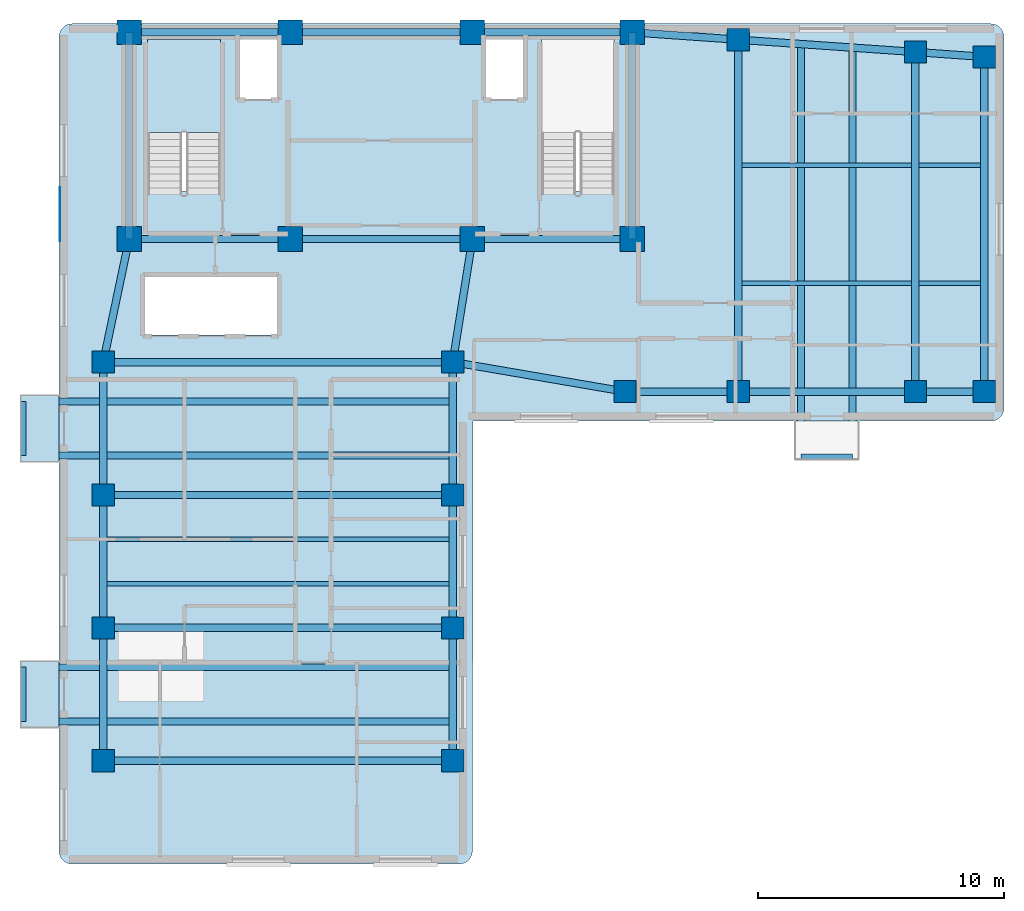
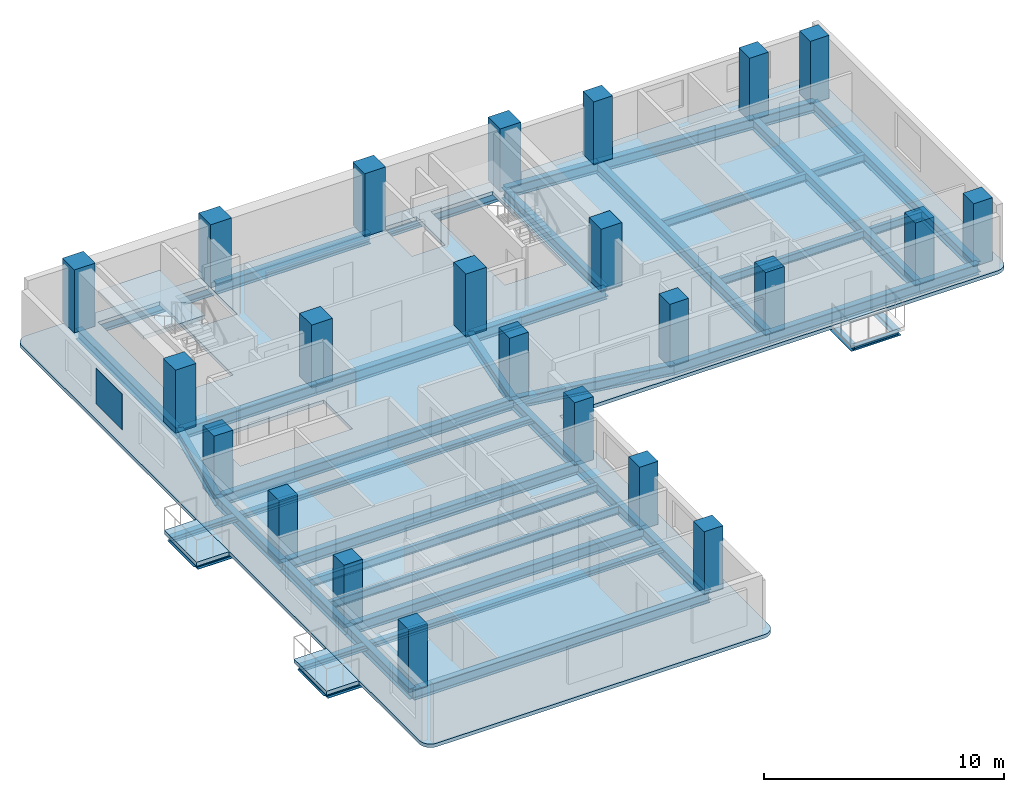
# One storey, part 1 of 7: 45 beams, 23 columns, 4 slabs, 1 plate, 1 element without a shape of its own.
"""IFC4 building model written with IfcOpenShell, lengths in metres."""

from ifc_helpers import new_model, si_unit, direction, frame, origin, origin_2d, place, context, subcontext, project, spatial, polyline, rectangle, i_section, outline, extrude, material, layer, layer_set, material_profile, profile_set, type_object, element, aggregate, save


model = new_model("IFC4")

# Units and contexts
model_context = context("Model", 3, precision=1e-05, world=origin(), true_north=direction((0.0, 1.0)))
body_context = subcontext(model_context, "Body", "Model", "MODEL_VIEW")
ifc_project = project(units=[si_unit("LENGTHUNIT", "METRE"), si_unit("AREAUNIT", "SQUARE_METRE"), si_unit("VOLUMEUNIT", "CUBIC_METRE"), si_unit("PLANEANGLEUNIT", "RADIAN"), si_unit("MASSUNIT", "GRAM", prefix="KILO")], contexts=[model_context])

# Site, building, storey
site_placement = place(None, origin())
site = spatial("IfcSite", under=ifc_project, at=site_placement, CompositionType="ELEMENT")
building_placement = place(site_placement, origin())
building = spatial("IfcBuilding", under=site, at=building_placement, Name="Kuzgunbayir Cultural Tower", CompositionType="ELEMENT")
storey_placement = place(building_placement, frame((0.0, 0.0, 176.0)))
storey = spatial("IfcBuildingStorey", under=building, at=storey_placement, Name="L51", CompositionType="ELEMENT", Elevation=176.0)

# Columns
ifc_material_1 = material(Name="Concrete C50/60", Category="concrete")
ifc_material_profile_1 = material_profile(ifc_material_1, rectangle(XDim=1.0, YDim=1.0, at=origin_2d()), Name="RC 1000x1000")
ifc_profile_set_1 = profile_set([ifc_material_profile_1], Name="Concrete C50/60")
column_type_1 = type_object("IfcColumnType", Name="COL-CORE-1000", PredefinedType="COLUMN", material=ifc_profile_set_1)
for number, where, z_axis, x_axis, name in (
    (1, (6.449951171875, 33.800048828125, 0.0), (0.0, 0.0, 1.0), (1.0, 0.0, 0.0), "L51 T1 Core Boundary Column CC1-1"),
    (2, (13.0, 33.800048828125, 0.0), (0.0, 0.0, 1.0), (1.0, 0.0, 0.0), "L51 T1 Core Boundary Column CC1-2"),
    (3, (20.39990234375, 33.800048828125, 0.0), (0.0, 0.0, 1.0), (1.0, 0.0, 0.0), "L51 T1 Core Boundary Column CC1-3"),
    (4, (26.89990234375, 33.800048828125, 0.0), (0.0, 0.0, 1.0), (1.0, 0.0, 0.0), "L51 T1 Core Boundary Column CC1-4"),
    (5, (6.449951171875, 42.199951171875, 0.0), (0.0, 0.0, 1.0), (1.0, 0.0, 0.0), "L51 T1 Core Boundary Column CC1-5"),
    (6, (13.0, 42.199951171875, 0.0), (0.0, 0.0, 1.0), (1.0, 0.0, 0.0), "L51 T1 Core Boundary Column CC1-6"),
    (7, (20.39990234375, 42.199951171875, 0.0), (0.0, 0.0, 1.0), (1.0, 0.0, 0.0), "L51 T1 Core Boundary Column CC1-7"),
    (8, (26.89990234375, 42.199951171875, 0.0), (0.0, 0.0, 1.0), (1.0, 0.0, 0.0), "L51 T1 Core Boundary Column CC1-8"),
):
    element("IfcColumn", number, at=place(storey_placement, frame(where, z_axis=z_axis, x_axis=x_axis)), inside=storey, type_object=column_type_1, Name=name, PredefinedType="COLUMN", context=body_context, shape_type="SweptSolid", body=[
        extrude(rectangle(XDim=1.0, YDim=1.0, at=origin_2d()), origin(), (0.0, 0.0, 1.0), 3.199951171875),
    ])
ifc_material_profile_2 = material_profile(ifc_material_1, rectangle(XDim=0.89990234375, YDim=0.89990234375, at=origin_2d()), Name="RC 900x900")
ifc_profile_set_2 = profile_set([ifc_material_profile_2], Name="Concrete C50/60")
column_type_2 = type_object("IfcColumnType", Name="COL-T1-900", PredefinedType="COLUMN", material=ifc_profile_set_2)
for number, where, z_axis, x_axis, name in (
    (9, (5.39990234375, 12.60009765625, 0.0), (0.0, 0.0, 1.0), (1.0, 0.0, 0.0), "L51 Tower 1 Wing A Column T1A-W-1"),
    (10, (19.60009765625, 12.60009765625, 0.0), (0.0, 0.0, 1.0), (1.0, 0.0, 0.0), "L51 Tower 1 Wing A Column T1A-E-1"),
    (11, (5.39990234375, 18.0, 0.0), (0.0, 0.0, 1.0), (1.0, 0.0, 0.0), "L51 Tower 1 Wing A Column T1A-W-2"),
    (12, (19.60009765625, 18.0, 0.0), (0.0, 0.0, 1.0), (1.0, 0.0, 0.0), "L51 Tower 1 Wing A Column T1A-E-2"),
    (13, (5.39990234375, 23.39990234375, 0.0), (0.0, 0.0, 1.0), (1.0, 0.0, 0.0), "L51 Tower 1 Wing A Column T1A-W-3"),
    (14, (19.60009765625, 23.39990234375, 0.0), (0.0, 0.0, 1.0), (1.0, 0.0, 0.0), "L51 Tower 1 Wing A Column T1A-E-3"),
    (15, (5.39990234375, 28.800048828125, 0.0), (0.0, 0.0, 1.0), (1.0, 0.0, 0.0), "L51 Tower 1 Wing A Column T1A-W-4"),
    (16, (19.60009765625, 28.800048828125, 0.0), (0.0, 0.0, 1.0), (1.0, 0.0, 0.0), "L51 Tower 1 Wing A Column T1A-E-4"),
    (17, (26.60009765625, 27.60009765625, 0.0), (0.0, 0.0, 1.0), (1.0, 0.0, 0.0), "L51 Tower 1 Wing B Column T1B-1-1"),
    (18, (31.199951171875, 27.60009765625, 0.0), (0.0, 0.0, 1.0), (1.0, 0.0, 0.0), "L51 Tower 1 Wing B Column T1B-2-1"),
    (19, (31.199951171875, 41.89990234375, 0.0), (0.0, 0.0, 1.0), (1.0, 0.0, 0.0), "L51 Tower 1 Wing B Column T1B-2-2"),
    (20, (38.39990234375, 27.60009765625, 0.0), (0.0, 0.0, 1.0), (1.0, 0.0, 0.0), "L51 Tower 1 Wing B Column T1B-3-1"),
    (21, (38.39990234375, 41.39990234375, 0.0), (0.0, 0.0, 1.0), (1.0, 0.0, 0.0), "L51 Tower 1 Wing B Column T1B-3-2"),
    (22, (41.199951171875, 27.60009765625, 0.0), (0.0, 0.0, 1.0), (1.0, 0.0, 0.0), "L51 Tower 1 Wing B Column T1B-4-1"),
    (23, (41.199951171875, 41.199951171875, 0.0), (0.0, 0.0, 1.0), (1.0, 0.0, 0.0), "L51 Tower 1 Wing B Column T1B-4-2"),
):
    element("IfcColumn", number, at=place(storey_placement, frame(where, z_axis=z_axis, x_axis=x_axis)), inside=storey, type_object=column_type_2, Name=name, PredefinedType="COLUMN", context=body_context, shape_type="SweptSolid", body=[
        extrude(rectangle(XDim=0.89990234375, YDim=0.89990234375, at=origin_2d()), origin(), (0.0, 0.0, 1.0), 3.199951171875),
    ])

# Beams
ifc_material_2 = material(Name="Steel S355J2", Category="steel")
ifc_material_profile_3 = material_profile(ifc_material_2, i_section(OverallWidth=0.280029296875, OverallDepth=0.280029296875, WebThickness=0.010498046875, FlangeThickness=0.01806640625, FilletRadius=0.02392578125, at=origin_2d()), Name="HEB 280")
ifc_profile_set_3 = profile_set([ifc_material_profile_3], Name="Steel S355J2")
beam_type_1 = type_object("IfcBeamType", Name="BM-BAL-HEB280", PredefinedType="BEAM", material=ifc_profile_set_3)
for number, where, z_axis, x_axis, name in (
    (24, (2.159912109375, 14.199951171875, -0.340087890625), (1.0, 0.0, 0.0), (0.0, 1.0, 0.0), "L51 Balcony Outrigger Beam BAL-L51-WA1.1"),
    (25, (2.159912109375, 16.39990234375, -0.340087890625), (1.0, 0.0, 0.0), (0.0, 1.0, 0.0), "L51 Balcony Outrigger Beam BAL-L51-WA1.2"),
    (26, (2.159912109375, 25.0, -0.340087890625), (1.0, 0.0, 0.0), (0.0, 1.0, 0.0), "L51 Balcony Outrigger Beam BAL-L51-WA3.1"),
    (27, (2.159912109375, 27.199951171875, -0.340087890625), (1.0, 0.0, 0.0), (0.0, 1.0, 0.0), "L51 Balcony Outrigger Beam BAL-L51-WA3.2"),
):
    element("IfcBeam", number, at=place(storey_placement, frame(where, z_axis=z_axis, x_axis=x_axis)), inside=storey, type_object=beam_type_1, Name=name, PredefinedType="BEAM", context=body_context, shape_type="SweptSolid", body=[
        extrude(i_section(OverallWidth=0.280029296875, OverallDepth=0.280029296875, WebThickness=0.010498046875, FlangeThickness=0.01806640625, FilletRadius=0.02392578125, at=origin_2d()), origin(), (0.0, 0.0, 1.0), 17.440185546875),
    ])
beam_1_placement = place(storey_placement, frame((33.75, 24.9599609375, -0.340087890625), z_axis=(0.0, 1.0, 0.0), x_axis=(-1.0, 0.0, 0.0)))
element("IfcBeam", 28, at=beam_1_placement, inside=storey, type_object=beam_type_1, Name="L51 Balcony Outrigger Beam BAL-L51-WB2.1", PredefinedType="BEAM", context=body_context, shape_type="SweptSolid", body=[
    extrude(i_section(OverallWidth=0.280029296875, OverallDepth=0.280029296875, WebThickness=0.010498046875, FlangeThickness=0.01806640625, FilletRadius=0.02392578125, at=origin_2d()), origin(), (0.0, 0.0, 1.0), 16.760009765625),
])
beam_2_placement = place(storey_placement, frame((35.85009765625, 24.9599609375, -0.340087890625), z_axis=(0.0, 1.0, 0.0), x_axis=(-1.0, 0.0, 0.0)))
element("IfcBeam", 29, at=beam_2_placement, inside=storey, type_object=beam_type_1, Name="L51 Balcony Outrigger Beam BAL-L51-WB2.2", PredefinedType="BEAM", context=body_context, shape_type="SweptSolid", body=[
    extrude(i_section(OverallWidth=0.280029296875, OverallDepth=0.280029296875, WebThickness=0.010498046875, FlangeThickness=0.01806640625, FilletRadius=0.02392578125, at=origin_2d()), origin(), (0.0, 0.0, 1.0), 16.6201171875),
])
ifc_material_profile_4 = material_profile(ifc_material_2, i_section(OverallWidth=0.199951171875, OverallDepth=0.199951171875, WebThickness=0.009033203125, FlangeThickness=0.014892578125, FilletRadius=0.01806640625, at=origin_2d()), Name="HEB 200")
ifc_profile_set_4 = profile_set([ifc_material_profile_4], Name="Steel S355J2")
beam_type_2 = type_object("IfcBeamType", Name="BM-CAN-HEB200", PredefinedType="BEAM", material=ifc_profile_set_4)
for number, where, z_axis, x_axis, name in (
    (30, (2.159912109375, 14.199951171875, -0.300048828125), (0.0, 1.0, 0.0), (-1.0, 0.0, 0.0), "L51 Balcony Edge Header BAL-L51-WA1"),
    (31, (2.159912109375, 25.0, -0.300048828125), (0.0, 1.0, 0.0), (-1.0, 0.0, 0.0), "L51 Balcony Edge Header BAL-L51-WA3"),
):
    element("IfcBeam", number, at=place(storey_placement, frame(where, z_axis=z_axis, x_axis=x_axis)), inside=storey, type_object=beam_type_2, Name=name, PredefinedType="BEAM", context=body_context, shape_type="SweptSolid", body=[
        extrude(i_section(OverallWidth=0.199951171875, OverallDepth=0.199951171875, WebThickness=0.009033203125, FlangeThickness=0.014892578125, FilletRadius=0.01806640625, at=origin_2d()), origin(), (0.0, 0.0, 1.0), 2.199951171875),
    ])
beam_3_placement = place(storey_placement, frame((33.75, 24.9599609375, -0.300048828125), z_axis=(1.0, 0.0, 0.0), x_axis=(0.0, 1.0, 0.0)))
element("IfcBeam", 32, at=beam_3_placement, inside=storey, type_object=beam_type_2, Name="L51 Balcony Edge Header BAL-L51-WB2", PredefinedType="BEAM", context=body_context, shape_type="SweptSolid", body=[
    extrude(i_section(OverallWidth=0.199951171875, OverallDepth=0.199951171875, WebThickness=0.009033203125, FlangeThickness=0.014892578125, FilletRadius=0.01806640625, at=origin_2d()), origin(), (0.0, 0.0, 1.0), 2.10009765625),
])
ifc_material_profile_5 = material_profile(ifc_material_2, i_section(OverallWidth=0.300048828125, OverallDepth=0.550048828125, WebThickness=0.014892578125, FlangeThickness=0.029052734375, FilletRadius=0.027099609375, at=origin_2d()), Name="HEB 550")
ifc_profile_set_5 = profile_set([ifc_material_profile_5], Name="Steel S355J2")
beam_type_3 = type_object("IfcBeamType", Name="BM-EXT-HEB550", PredefinedType="BEAM", material=ifc_profile_set_5)
for number, where, z_axis, x_axis, name in (
    (33, (5.39990234375, 12.60009765625, -0.4599609375), (0.0, 1.0, 0.0), (-1.0, 0.0, 0.0), "L51 Wing A West Girder 1"),
    (34, (19.60009765625, 12.60009765625, -0.4599609375), (0.0, 1.0, 0.0), (-1.0, 0.0, 0.0), "L51 Wing A East Girder 1"),
    (35, (5.39990234375, 18.0, -0.4599609375), (0.0, 1.0, 0.0), (-1.0, 0.0, 0.0), "L51 Wing A West Girder 2"),
    (36, (19.60009765625, 18.0, -0.4599609375), (0.0, 1.0, 0.0), (-1.0, 0.0, 0.0), "L51 Wing A East Girder 2"),
):
    element("IfcBeam", number, at=place(storey_placement, frame(where, z_axis=z_axis, x_axis=x_axis)), inside=storey, type_object=beam_type_3, Name=name, PredefinedType="BEAM", context=body_context, shape_type="SweptSolid", body=[
        extrude(i_section(OverallWidth=0.300048828125, OverallDepth=0.550048828125, WebThickness=0.014892578125, FlangeThickness=0.029052734375, FilletRadius=0.027099609375, at=origin_2d()), origin(), (0.0, 0.0, 1.0), 5.39990234375),
    ])
for number, where, z_axis, x_axis, name in (
    (37, (5.39990234375, 23.39990234375, -0.4599609375), (0.0, 1.0, 0.0), (-1.0, 0.0, 0.0), "L51 Wing A West Girder 3"),
    (38, (19.60009765625, 23.39990234375, -0.4599609375), (0.0, 1.0, 0.0), (-1.0, 0.0, 0.0), "L51 Wing A East Girder 3"),
):
    element("IfcBeam", number, at=place(storey_placement, frame(where, z_axis=z_axis, x_axis=x_axis)), inside=storey, type_object=beam_type_3, Name=name, PredefinedType="BEAM", context=body_context, shape_type="SweptSolid", body=[
        extrude(i_section(OverallWidth=0.300048828125, OverallDepth=0.550048828125, WebThickness=0.014892578125, FlangeThickness=0.029052734375, FilletRadius=0.027099609375, at=origin_2d()), origin(), (0.0, 0.0, 1.0), 5.400146484375),
    ])
beam_4_placement = place(storey_placement, frame((26.60009765625, 27.60009765625, -0.4599609375), z_axis=(1.0, 0.0, 0.0), x_axis=(0.0, 1.0, 0.0)))
element("IfcBeam", 39, at=beam_4_placement, inside=storey, type_object=beam_type_3, Name="L51 Wing B South Girder 1", PredefinedType="BEAM", context=body_context, shape_type="SweptSolid", body=[
    extrude(i_section(OverallWidth=0.300048828125, OverallDepth=0.550048828125, WebThickness=0.014892578125, FlangeThickness=0.029052734375, FilletRadius=0.027099609375, at=origin_2d()), origin(), (0.0, 0.0, 1.0), 4.599853515625),
])
beam_5_placement = place(storey_placement, frame((26.89990234375, 42.199951171875, -0.4599609375), z_axis=(0.997574369175, -0.069608749203, 0.0), x_axis=(0.069608749203, 0.997574369175, 0.0)))
element("IfcBeam", 40, at=beam_5_placement, inside=storey, type_object=beam_type_3, Name="L51 Wing B North Girder 1", PredefinedType="BEAM", context=body_context, shape_type="SweptSolid", body=[
    extrude(i_section(OverallWidth=0.300048828125, OverallDepth=0.550048828125, WebThickness=0.014892578125, FlangeThickness=0.029052734375, FilletRadius=0.027099609375, at=origin_2d()), origin(), (0.0, 0.0, 1.0), 4.310546875),
])
beam_6_placement = place(storey_placement, frame((31.199951171875, 27.60009765625, -0.4599609375), z_axis=(1.0, 0.0, 0.0), x_axis=(0.0, 1.0, 0.0)))
element("IfcBeam", 41, at=beam_6_placement, inside=storey, type_object=beam_type_3, Name="L51 Wing B South Girder 2", PredefinedType="BEAM", context=body_context, shape_type="SweptSolid", body=[
    extrude(i_section(OverallWidth=0.300048828125, OverallDepth=0.550048828125, WebThickness=0.014892578125, FlangeThickness=0.029052734375, FilletRadius=0.027099609375, at=origin_2d()), origin(), (0.0, 0.0, 1.0), 7.199951171875),
])
beam_7_placement = place(storey_placement, frame((31.199951171875, 41.89990234375, -0.4599609375), z_axis=(0.997597388498, -0.069278066245, 0.0), x_axis=(0.069278066245, 0.997597388498, 0.0)))
element("IfcBeam", 42, at=beam_7_placement, inside=storey, type_object=beam_type_3, Name="L51 Wing B North Girder 2", PredefinedType="BEAM", context=body_context, shape_type="SweptSolid", body=[
    extrude(i_section(OverallWidth=0.300048828125, OverallDepth=0.550048828125, WebThickness=0.014892578125, FlangeThickness=0.029052734375, FilletRadius=0.027099609375, at=origin_2d()), origin(), (0.0, 0.0, 1.0), 7.21728515625),
])
beam_8_placement = place(storey_placement, frame((38.39990234375, 27.60009765625, -0.4599609375), z_axis=(1.0, 0.0, 0.0), x_axis=(0.0, 1.0, 0.0)))
element("IfcBeam", 43, at=beam_8_placement, inside=storey, type_object=beam_type_3, Name="L51 Wing B South Girder 3", PredefinedType="BEAM", context=body_context, shape_type="SweptSolid", body=[
    extrude(i_section(OverallWidth=0.300048828125, OverallDepth=0.550048828125, WebThickness=0.014892578125, FlangeThickness=0.029052734375, FilletRadius=0.027099609375, at=origin_2d()), origin(), (0.0, 0.0, 1.0), 2.800048828125),
])
beam_9_placement = place(storey_placement, frame((38.39990234375, 41.39990234375, -0.4599609375), z_axis=(0.997460024076, -0.071228508128, 0.0), x_axis=(0.071228508128, 0.997460024076, 0.0)))
element("IfcBeam", 44, at=beam_9_placement, inside=storey, type_object=beam_type_3, Name="L51 Wing B North Girder 3", PredefinedType="BEAM", context=body_context, shape_type="SweptSolid", body=[
    extrude(i_section(OverallWidth=0.300048828125, OverallDepth=0.550048828125, WebThickness=0.014892578125, FlangeThickness=0.029052734375, FilletRadius=0.027099609375, at=origin_2d()), origin(), (0.0, 0.0, 1.0), 2.80712890625),
])
ifc_material_profile_6 = material_profile(ifc_material_2, i_section(OverallWidth=0.300048828125, OverallDepth=0.550048828125, WebThickness=0.014892578125, FlangeThickness=0.029052734375, FilletRadius=0.027099609375, at=origin_2d()), Name="HEB 550")
ifc_profile_set_6 = profile_set([ifc_material_profile_6], Name="Steel S355J2")
beam_type_4 = type_object("IfcBeamType", Name="BM-GIR-HEB550", PredefinedType="BEAM", material=ifc_profile_set_6)
beam_10_placement = place(storey_placement, frame((6.449951171875, 33.800048828125, -0.4599609375), z_axis=(1.0, 0.0, 0.0), x_axis=(0.0, 1.0, 0.0)))
element("IfcBeam", 45, at=beam_10_placement, inside=storey, type_object=beam_type_4, Name="L51 Core South Girder 1", PredefinedType="BEAM", context=body_context, shape_type="SweptSolid", body=[
    extrude(i_section(OverallWidth=0.300048828125, OverallDepth=0.550048828125, WebThickness=0.014892578125, FlangeThickness=0.029052734375, FilletRadius=0.027099609375, at=origin_2d()), origin(), (0.0, 0.0, 1.0), 6.550048828125),
])
beam_11_placement = place(storey_placement, frame((13.0, 33.800048828125, -0.4599609375), z_axis=(1.0, 0.0, 0.0), x_axis=(0.0, 1.0, 0.0)))
element("IfcBeam", 46, at=beam_11_placement, inside=storey, type_object=beam_type_4, Name="L51 Core South Girder 2", PredefinedType="BEAM", context=body_context, shape_type="SweptSolid", body=[
    extrude(i_section(OverallWidth=0.300048828125, OverallDepth=0.550048828125, WebThickness=0.014892578125, FlangeThickness=0.029052734375, FilletRadius=0.027099609375, at=origin_2d()), origin(), (0.0, 0.0, 1.0), 7.39990234375),
])
beam_12_placement = place(storey_placement, frame((20.39990234375, 33.800048828125, -0.4599609375), z_axis=(1.0, 0.0, 0.0), x_axis=(0.0, 1.0, 0.0)))
element("IfcBeam", 47, at=beam_12_placement, inside=storey, type_object=beam_type_4, Name="L51 Core South Girder 3", PredefinedType="BEAM", context=body_context, shape_type="SweptSolid", body=[
    extrude(i_section(OverallWidth=0.300048828125, OverallDepth=0.550048828125, WebThickness=0.014892578125, FlangeThickness=0.029052734375, FilletRadius=0.027099609375, at=origin_2d()), origin(), (0.0, 0.0, 1.0), 6.5),
])
beam_13_placement = place(storey_placement, frame((6.449951171875, 42.199951171875, -0.4599609375), z_axis=(1.0, 0.0, 0.0), x_axis=(0.0, 1.0, 0.0)))
element("IfcBeam", 48, at=beam_13_placement, inside=storey, type_object=beam_type_4, Name="L51 Core North Girder 1", PredefinedType="BEAM", context=body_context, shape_type="SweptSolid", body=[
    extrude(i_section(OverallWidth=0.300048828125, OverallDepth=0.550048828125, WebThickness=0.014892578125, FlangeThickness=0.029052734375, FilletRadius=0.027099609375, at=origin_2d()), origin(), (0.0, 0.0, 1.0), 6.550048828125),
])
beam_14_placement = place(storey_placement, frame((13.0, 42.199951171875, -0.4599609375), z_axis=(1.0, 0.0, 0.0), x_axis=(0.0, 1.0, 0.0)))
element("IfcBeam", 49, at=beam_14_placement, inside=storey, type_object=beam_type_4, Name="L51 Core North Girder 2", PredefinedType="BEAM", context=body_context, shape_type="SweptSolid", body=[
    extrude(i_section(OverallWidth=0.300048828125, OverallDepth=0.550048828125, WebThickness=0.014892578125, FlangeThickness=0.029052734375, FilletRadius=0.027099609375, at=origin_2d()), origin(), (0.0, 0.0, 1.0), 7.39990234375),
])
beam_15_placement = place(storey_placement, frame((20.39990234375, 42.199951171875, -0.4599609375), z_axis=(1.0, 0.0, 0.0), x_axis=(0.0, 1.0, 0.0)))
element("IfcBeam", 50, at=beam_15_placement, inside=storey, type_object=beam_type_4, Name="L51 Core North Girder 3", PredefinedType="BEAM", context=body_context, shape_type="SweptSolid", body=[
    extrude(i_section(OverallWidth=0.300048828125, OverallDepth=0.550048828125, WebThickness=0.014892578125, FlangeThickness=0.029052734375, FilletRadius=0.027099609375, at=origin_2d()), origin(), (0.0, 0.0, 1.0), 6.5),
])
for number, where, z_axis, x_axis, name in (
    (51, (6.449951171875, 33.800048828125, -0.4599609375), (0.0, 1.0, 0.0), (-1.0, 0.0, 0.0), "L51 Core West Edge Girder"),
    (52, (26.89990234375, 33.800048828125, -0.4599609375), (0.0, 1.0, 0.0), (-1.0, 0.0, 0.0), "L51 Core East Edge Girder"),
):
    element("IfcBeam", number, at=place(storey_placement, frame(where, z_axis=z_axis, x_axis=x_axis)), inside=storey, type_object=beam_type_4, Name=name, PredefinedType="BEAM", context=body_context, shape_type="SweptSolid", body=[
        extrude(i_section(OverallWidth=0.300048828125, OverallDepth=0.550048828125, WebThickness=0.014892578125, FlangeThickness=0.029052734375, FilletRadius=0.027099609375, at=origin_2d()), origin(), (0.0, 0.0, 1.0), 8.39990234375),
    ])
for number, where, z_axis, x_axis, name in (
    (53, (5.39990234375, 12.60009765625, -0.4599609375), (1.0, 0.0, 0.0), (0.0, 1.0, 0.0), "L51 Wing A Transverse Girder 1"),
    (54, (5.39990234375, 18.0, -0.4599609375), (1.0, 0.0, 0.0), (0.0, 1.0, 0.0), "L51 Wing A Transverse Girder 2"),
    (55, (5.39990234375, 23.39990234375, -0.4599609375), (1.0, 0.0, 0.0), (0.0, 1.0, 0.0), "L51 Wing A Transverse Girder 3"),
    (56, (5.39990234375, 28.800048828125, -0.4599609375), (1.0, 0.0, 0.0), (0.0, 1.0, 0.0), "L51 Wing A Transverse Girder 4"),
):
    element("IfcBeam", number, at=place(storey_placement, frame(where, z_axis=z_axis, x_axis=x_axis)), inside=storey, type_object=beam_type_4, Name=name, PredefinedType="BEAM", context=body_context, shape_type="SweptSolid", body=[
        extrude(i_section(OverallWidth=0.300048828125, OverallDepth=0.550048828125, WebThickness=0.014892578125, FlangeThickness=0.029052734375, FilletRadius=0.027099609375, at=origin_2d()), origin(), (0.0, 0.0, 1.0), 14.2001953125),
    ])
beam_16_placement = place(storey_placement, frame((5.39990234375, 28.800048828125, -0.4599609375), z_axis=(0.205526387753, 0.978651574329, 0.0), x_axis=(-0.978651574329, 0.205526387753, 0.0)))
element("IfcBeam", 57, at=beam_16_placement, inside=storey, type_object=beam_type_4, Name="L51 Wing A West Core Floor Girder", PredefinedType="BEAM", context=body_context, shape_type="SweptSolid", body=[
    extrude(i_section(OverallWidth=0.300048828125, OverallDepth=0.550048828125, WebThickness=0.014892578125, FlangeThickness=0.029052734375, FilletRadius=0.027099609375, at=origin_2d()), origin(), (0.0, 0.0, 1.0), 5.109130859375),
])
beam_17_placement = place(storey_placement, frame((19.60009765625, 28.800048828125, -0.4599609375), z_axis=(0.157952891656, 0.987446648694, 0.0), x_axis=(-0.987446648694, 0.157952891656, 0.0)))
element("IfcBeam", 58, at=beam_17_placement, inside=storey, type_object=beam_type_4, Name="L51 Wing A East Core Floor Girder", PredefinedType="BEAM", context=body_context, shape_type="SweptSolid", body=[
    extrude(i_section(OverallWidth=0.300048828125, OverallDepth=0.550048828125, WebThickness=0.014892578125, FlangeThickness=0.029052734375, FilletRadius=0.027099609375, at=origin_2d()), origin(), (0.0, 0.0, 1.0), 5.0634765625),
])
beam_18_placement = place(storey_placement, frame((31.199951171875, 27.60009765625, -0.4599609375), z_axis=(0.0, 1.0, 0.0), x_axis=(-1.0, 0.0, 0.0)))
element("IfcBeam", 59, at=beam_18_placement, inside=storey, type_object=beam_type_4, Name="L51 Wing B Cross Girder 31", PredefinedType="BEAM", context=body_context, shape_type="SweptSolid", body=[
    extrude(i_section(OverallWidth=0.300048828125, OverallDepth=0.550048828125, WebThickness=0.014892578125, FlangeThickness=0.029052734375, FilletRadius=0.027099609375, at=origin_2d()), origin(), (0.0, 0.0, 1.0), 14.2998046875),
])
beam_19_placement = place(storey_placement, frame((38.39990234375, 27.60009765625, -0.4599609375), z_axis=(0.0, 1.0, 0.0), x_axis=(-1.0, 0.0, 0.0)))
element("IfcBeam", 60, at=beam_19_placement, inside=storey, type_object=beam_type_4, Name="L51 Wing B Cross Girder 38", PredefinedType="BEAM", context=body_context, shape_type="SweptSolid", body=[
    extrude(i_section(OverallWidth=0.300048828125, OverallDepth=0.550048828125, WebThickness=0.014892578125, FlangeThickness=0.029052734375, FilletRadius=0.027099609375, at=origin_2d()), origin(), (0.0, 0.0, 1.0), 13.7998046875),
])
beam_20_placement = place(storey_placement, frame((41.199951171875, 27.60009765625, -0.4599609375), z_axis=(0.0, 1.0, 0.0), x_axis=(-1.0, 0.0, 0.0)))
element("IfcBeam", 61, at=beam_20_placement, inside=storey, type_object=beam_type_4, Name="L51 Wing B Cross Girder 41", PredefinedType="BEAM", context=body_context, shape_type="SweptSolid", body=[
    extrude(i_section(OverallWidth=0.300048828125, OverallDepth=0.550048828125, WebThickness=0.014892578125, FlangeThickness=0.029052734375, FilletRadius=0.027099609375, at=origin_2d()), origin(), (0.0, 0.0, 1.0), 13.599853515625),
])
beam_21_placement = place(storey_placement, frame((19.60009765625, 28.800048828125, -0.4599609375), z_axis=(0.985623399742, -0.168957136221, 0.0), x_axis=(0.168957136221, 0.985623399742, 0.0)))
element("IfcBeam", 62, at=beam_21_placement, inside=storey, type_object=beam_type_4, Name="L51 Wing B Waist Tie Girder", PredefinedType="BEAM", context=body_context, shape_type="SweptSolid", body=[
    extrude(i_section(OverallWidth=0.300048828125, OverallDepth=0.550048828125, WebThickness=0.014892578125, FlangeThickness=0.029052734375, FilletRadius=0.027099609375, at=origin_2d()), origin(), (0.0, 0.0, 1.0), 7.10205078125),
])
ifc_material_profile_7 = material_profile(ifc_material_2, i_section(OverallWidth=0.179931640625, OverallDepth=0.39990234375, WebThickness=0.008544921875, FlangeThickness=0.013427734375, FilletRadius=0.02099609375, at=origin_2d()), Name="IPE 400")
ifc_profile_set_7 = profile_set([ifc_material_profile_7], Name="Steel S355J2")
beam_type_5 = type_object("IfcBeamType", Name="BM-JST-IPE400", PredefinedType="JOIST", material=ifc_profile_set_7)
for number, where, z_axis, x_axis, name in (
    (63, (5.550048828125, 19.800048828125, -0.3798828125), (1.0, 0.0, 0.0), (0.0, 1.0, 0.0), "L51 Wing A Secondary Joist 3"),
    (64, (5.550048828125, 21.60009765625, -0.3798828125), (1.0, 0.0, 0.0), (0.0, 1.0, 0.0), "L51 Wing A Secondary Joist 4"),
):
    element("IfcBeam", number, at=place(storey_placement, frame(where, z_axis=z_axis, x_axis=x_axis)), inside=storey, type_object=beam_type_5, Name=name, PredefinedType="JOIST", context=body_context, shape_type="SweptSolid", body=[
        extrude(i_section(OverallWidth=0.179931640625, OverallDepth=0.39990234375, WebThickness=0.008544921875, FlangeThickness=0.013427734375, FilletRadius=0.02099609375, at=origin_2d()), origin(), (0.0, 0.0, 1.0), 13.89990234375),
    ])
for number, where, z_axis, x_axis, name in (
    (65, (31.35009765625, 32.0, -0.3798828125), (1.0, 0.0, 0.0), (0.0, 1.0, 0.0), "L51 Wing B Secondary Joist 1.1"),
    (66, (31.35009765625, 36.800048828125, -0.3798828125), (1.0, 0.0, 0.0), (0.0, 1.0, 0.0), "L51 Wing B Secondary Joist 1.2"),
):
    element("IfcBeam", number, at=place(storey_placement, frame(where, z_axis=z_axis, x_axis=x_axis)), inside=storey, type_object=beam_type_5, Name=name, PredefinedType="JOIST", context=body_context, shape_type="SweptSolid", body=[
        extrude(i_section(OverallWidth=0.179931640625, OverallDepth=0.39990234375, WebThickness=0.008544921875, FlangeThickness=0.013427734375, FilletRadius=0.02099609375, at=origin_2d()), origin(), (0.0, 0.0, 1.0), 6.89990234375),
    ])
for number, where, z_axis, x_axis, name in (
    (67, (38.550048828125, 32.0, -0.3798828125), (1.0, 0.0, 0.0), (0.0, 1.0, 0.0), "L51 Wing B Secondary Joist 2.1"),
    (68, (38.550048828125, 36.800048828125, -0.3798828125), (1.0, 0.0, 0.0), (0.0, 1.0, 0.0), "L51 Wing B Secondary Joist 2.2"),
):
    element("IfcBeam", number, at=place(storey_placement, frame(where, z_axis=z_axis, x_axis=x_axis)), inside=storey, type_object=beam_type_5, Name=name, PredefinedType="JOIST", context=body_context, shape_type="SweptSolid", body=[
        extrude(i_section(OverallWidth=0.179931640625, OverallDepth=0.39990234375, WebThickness=0.008544921875, FlangeThickness=0.013427734375, FilletRadius=0.02099609375, at=origin_2d()), origin(), (0.0, 0.0, 1.0), 2.5),
    ])

# Plate
ifc_material_3 = material(Name="Perforated Bronze-Anodised Aluminium", Category="aluminium")
ifc_layer_1 = layer(ifc_material_3, 0.02392578125)
ifc_layer_set_1 = layer_set([ifc_layer_1], Name="Perforated Bronze-Anodised Aluminium")
plate_type = type_object("IfcPlateType", Name="PLT-SOLAR-SCREEN-14", PredefinedType="SHEET", material=ifc_layer_set_1)
plate_placement = place(storey_placement, frame((3.639892578125, 34.800048828125, 0.75), z_axis=(0.0, 0.0, 1.0), x_axis=(1.0, 0.0, 0.0)))
element("IfcPlate", 69, at=plate_placement, inside=storey, type_object=plate_type, Name="L51 Tower 1 Perforated Ceramic Solar Screen Panel", PredefinedType="SHEET", context=body_context, shape_type="SweptSolid", body=[
    extrude(rectangle(XDim=0.02392578125, YDim=2.199951171875, at=origin_2d()), origin(), (0.0, 0.0, 1.0), 1.800048828125),
])

# Slabs
ifc_material_4 = material(Name="Concrete C40/50", Category="concrete")
ifc_layer_2 = layer(ifc_material_4, 0.199951171875)
ifc_layer_set_2 = layer_set([ifc_layer_2], Name="Concrete C40/50")
slab_type_1 = type_object("IfcSlabType", Name="SLB-BAL-STONE", PredefinedType="FLOOR", material=ifc_layer_set_2)
slab_1_placement = place(storey_placement, frame((0.0, 0.0, -0.199951171875)))
element("IfcSlab", 70, at=slab_1_placement, inside=storey, type_object=slab_type_1, Name="L51 Projecting Limestone Balcony BAL-L51-WA1", PredefinedType="FLOOR", context=body_context, shape_type="SweptSolid", body=[
    extrude(outline(polyline([(2.0400390625, 13.949951171875), (3.60009765625, 13.949951171875), (3.60009765625, 16.64990234375), (2.0400390625, 16.64990234375), (2.0400390625, 13.949951171875)])), origin(), (0.0, 0.0, 1.0), 0.199951171875),
])
slab_2_placement = place(storey_placement, frame((0.0, 0.0, -0.199951171875)))
element("IfcSlab", 71, at=slab_2_placement, inside=storey, type_object=slab_type_1, Name="L51 Projecting Limestone Balcony BAL-L51-WA3", PredefinedType="FLOOR", context=body_context, shape_type="SweptSolid", body=[
    extrude(outline(polyline([(2.0400390625, 24.75), (3.60009765625, 24.75), (3.60009765625, 27.449951171875), (2.0400390625, 27.449951171875), (2.0400390625, 24.75)])), origin(), (0.0, 0.0, 1.0), 0.199951171875),
])

# Stair, slab
stair_type = type_object("IfcStairType", Name="STR-EXIT-CORE", PredefinedType="HALF_TURN_STAIR", material=ifc_material_4)
stair_placement = place(storey_placement, origin())
stair = element("IfcStair", 72, at=stair_placement, inside=storey, type_object=stair_type, Name="L51 ST-1", PredefinedType="HALF_TURN_STAIR")
ifc_layer_3 = layer(ifc_material_4, 0.179931640625)
ifc_layer_set_3 = layer_set([ifc_layer_3], Name="Concrete C40/50")
slab_type_2 = type_object("IfcSlabType", Name="SLB-LANDING-180", PredefinedType="LANDING", material=ifc_layer_set_3)
slab_3_placement = place(storey_placement, frame((0.0, 0.0, 1.39990234375)))
slab_3 = element("IfcSlab", 73, at=slab_3_placement, type_object=slab_type_2, Name="ST-1 landing 1", PredefinedType="LANDING", context=body_context, shape_type="SweptSolid", body=[
    extrude(outline(polyline([(10.159912109375, 38.1201171875), (10.159912109375, 41.89990234375), (7.199951171875, 41.89990234375), (7.199951171875, 38.1201171875), (10.159912109375, 38.1201171875)])), origin(), (0.0, 0.0, 1.0), 0.2001953125),
])
aggregate(stair, [slab_3])

# Slab
ifc_layer_4 = layer(ifc_material_4, 0.179931640625)
ifc_layer_set_4 = layer_set([ifc_layer_4], Name="Concrete C40/50")
slab_type_3 = type_object("IfcSlabType", Name="SLB-TYP-180", PredefinedType="FLOOR", material=ifc_layer_set_4)
slab_4_placement = place(storey_placement, frame((0.0, 0.0, -0.179931640625)))
element("IfcSlab", 74, at=slab_4_placement, inside=storey, type_object=slab_type_3, Name="L51 Tower 1 Floor Slab T1-MAIN", PredefinedType="FLOOR", context=body_context, shape_type="SweptSolid", body=[
    extrude(outline(polyline([(20.39990234375, 8.949951171875), (20.389892578125, 8.840087890625), (20.360107421875, 8.739990234375), (20.31005859375, 8.639892578125), (20.239990234375, 8.56005859375), (20.159912109375, 8.489990234375), (20.06005859375, 8.43994140625), (19.9599609375, 8.409912109375), (19.85009765625, 8.39990234375), (4.14990234375, 8.39990234375), (4.0400390625, 8.409912109375), (3.93994140625, 8.43994140625), (3.840087890625, 8.489990234375), (3.760009765625, 8.56005859375), (3.68994140625, 8.639892578125), (3.639892578125, 8.739990234375), (3.610107421875, 8.840087890625), (3.60009765625, 8.949951171875), (3.60009765625, 42.0), (3.610107421875, 42.110107421875), (3.639892578125, 42.2099609375), (3.68994140625, 42.31005859375), (3.760009765625, 42.389892578125), (3.840087890625, 42.4599609375), (3.93994140625, 42.510009765625), (4.0400390625, 42.5400390625), (4.14990234375, 42.550048828125), (41.449951171875, 42.550048828125), (41.56005859375, 42.5400390625), (41.659912109375, 42.510009765625), (41.760009765625, 42.4599609375), (41.840087890625, 42.389892578125), (41.909912109375, 42.31005859375), (41.9599609375, 42.2099609375), (41.989990234375, 42.110107421875), (42.0, 42.0), (42.0, 26.949951171875), (41.989990234375, 26.840087890625), (41.9599609375, 26.739990234375), (41.909912109375, 26.639892578125), (41.840087890625, 26.56005859375), (41.760009765625, 26.489990234375), (41.659912109375, 26.43994140625), (41.56005859375, 26.409912109375), (41.449951171875, 26.39990234375), (20.429931640625, 26.39990234375), (20.39990234375, 8.949951171875)]), holes=[polyline([(7.199951171875, 35.760009765625), (7.199951171875, 41.89990234375), (10.159912109375, 41.89990234375), (10.159912109375, 35.760009765625), (7.199951171875, 35.760009765625)]), polyline([(23.199951171875, 35.760009765625), (23.199951171875, 41.89990234375), (26.159912109375, 41.89990234375), (26.159912109375, 35.760009765625), (23.199951171875, 35.760009765625)]), polyline([(7.10009765625, 29.89990234375), (7.10009765625, 32.300048828125), (12.5, 32.300048828125), (12.5, 29.89990234375), (7.10009765625, 29.89990234375)]), polyline([(10.89990234375, 39.5), (10.89990234375, 41.89990234375), (12.5, 41.89990234375), (12.5, 39.5), (10.89990234375, 39.5)]), polyline([(20.89990234375, 39.5), (20.89990234375, 41.89990234375), (22.5, 41.89990234375), (22.5, 39.5), (20.89990234375, 39.5)])]), origin(), (0.0, 0.0, 1.0), 0.179931640625),
])

save(model, "model.ifc")
